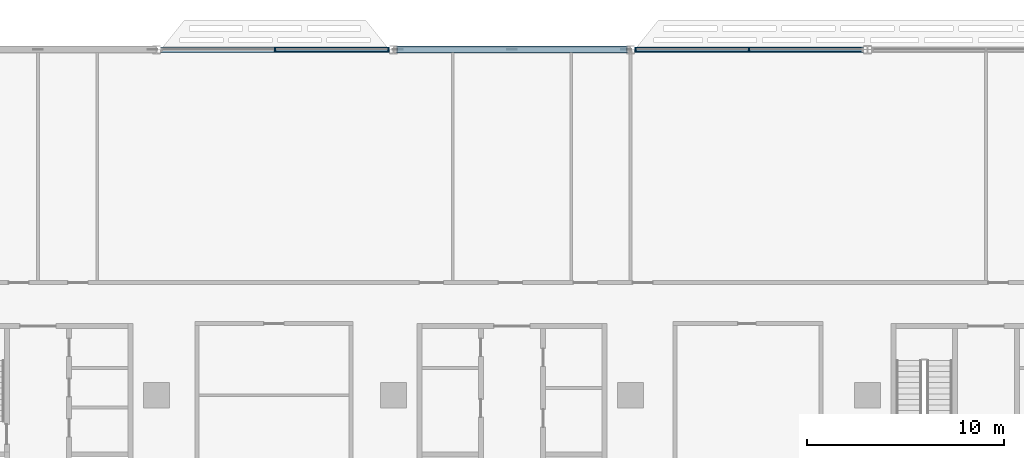
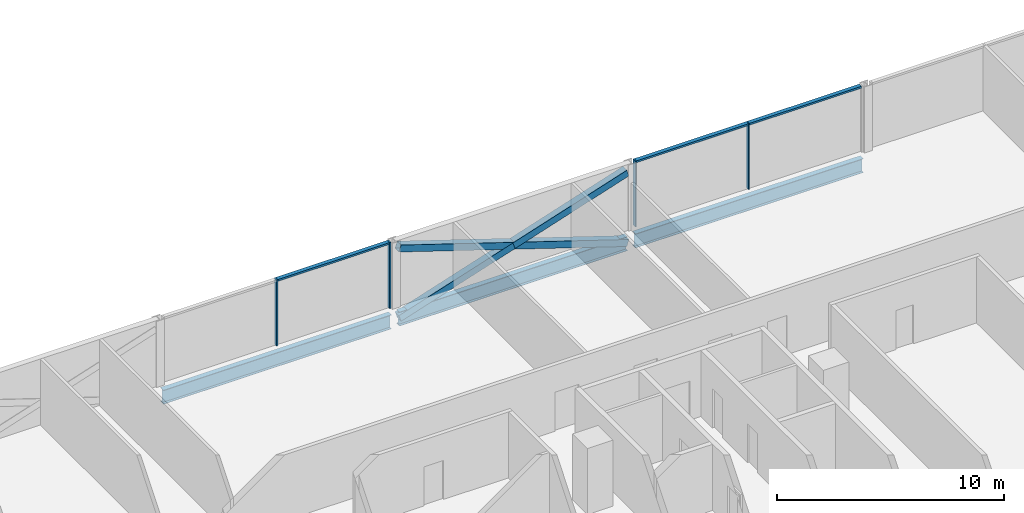
# One storey, part 7 of 29: 10 members, 3 beams, 2 elements without a shape of their own.
"""IFC4 building model written with IfcOpenShell, lengths in metres."""

from ifc_helpers import new_model, si_unit, direction, frame, origin, origin_2d, place, context, subcontext, project, spatial, rectangle, hollow_rectangle, i_section, extrude, material, material_profile, profile_set, type_object, element, aggregate, save


model = new_model("IFC4")

# Units and contexts
model_context = context("Model", 3, precision=1e-05, world=origin(), true_north=direction((0.0, 1.0)))
body_context = subcontext(model_context, "Body", "Model", "MODEL_VIEW")
ifc_project = project(units=[si_unit("LENGTHUNIT", "METRE"), si_unit("AREAUNIT", "SQUARE_METRE"), si_unit("VOLUMEUNIT", "CUBIC_METRE"), si_unit("PLANEANGLEUNIT", "RADIAN"), si_unit("MASSUNIT", "GRAM", prefix="KILO")], contexts=[model_context])

# Site, building, storey
site_placement = place(None, origin())
site = spatial("IfcSite", under=ifc_project, at=site_placement, CompositionType="ELEMENT")
building_placement = place(site_placement, origin())
building = spatial("IfcBuilding", under=site, at=building_placement, Name="Mahtab Terrace Research Tower", CompositionType="ELEMENT")
storey_placement = place(building_placement, frame((0.0, 0.0, 150.699951171875)))
storey = spatial("IfcBuildingStorey", under=building, at=storey_placement, Name="L35", CompositionType="ELEMENT", Elevation=150.699951171875)

# Members
ifc_material_1 = material(Name="Steel ASTM A500 Gr C", Category="steel")
ifc_material_profile_1 = material_profile(ifc_material_1, hollow_rectangle(XDim=0.355712890625, YDim=0.355712890625, WallThickness=0.01904296875, at=origin_2d()), Name="HSS14X14X3/4")
ifc_profile_set_1 = profile_set([ifc_material_profile_1], Name="Steel ASTM A500 Gr C")
member_type_1 = type_object("IfcMemberType", Name="HSS 14x14x3/4 brace XB141434", PredefinedType="BRACE", material=ifc_profile_set_1)
member_1_placement = place(storey_placement, frame((5.794189453125, 29.0, -0.651611328125), z_axis=(-0.951266203011, 0.0, 0.308370898448), x_axis=(0.0, -1.0, 0.0)))
element("IfcMember", 1, at=member_1_placement, inside=storey, type_object=member_type_1, Name="Exoskeleton brace L35 04 a", PredefinedType="BRACE", context=body_context, shape_type="SweptSolid", body=[
    extrude(hollow_rectangle(XDim=0.355712890625, YDim=0.355712890625, WallThickness=0.01904296875, at=origin_2d()), origin(), (0.0, 0.0, 1.0), 12.18212890625),
])
for number, where, z_axis, x_axis, name in (
    (2, (-5.794189453125, 29.0, -0.651611328125), (0.951272081758, 0.0, 0.308352763029), (0.0, 1.0, 0.0), "Exoskeleton brace L35 04 b1"),
    (3, (0.0, 29.0, 1.2265625), (0.95126032399, 0.0, 0.308389033531), (0.0, 1.0, 0.0), "Exoskeleton brace L35 04 b2"),
):
    element("IfcMember", number, at=place(storey_placement, frame(where, z_axis=z_axis, x_axis=x_axis)), inside=storey, type_object=member_type_1, Name=name, PredefinedType="BRACE", context=body_context, shape_type="SweptSolid", body=[
        extrude(hollow_rectangle(XDim=0.355712890625, YDim=0.355712890625, WallThickness=0.01904296875, at=origin_2d()), origin(), (0.0, 0.0, 1.0), 6.091064453125),
    ])

# Curtain wall, members
ifc_material_2 = material(Name="Laboratory ribbon curtain wall")
curtain_wall_type = type_object("IfcCurtainWallType", Name="Laboratory ribbon curtain wall", PredefinedType="NOTDEFINED", material=ifc_material_2)
curtain_wall_1_placement = place(storey_placement, origin())
curtain_wall_1 = element("IfcCurtainWall", 4, at=curtain_wall_1_placement, inside=storey, type_object=curtain_wall_type, Name="EN.L35.3.5", PredefinedType="NOTDEFINED")
ifc_material_3 = material(Name="Natural anodised aluminium", Category="aluminium")
ifc_material_profile_2 = material_profile(ifc_material_3, rectangle(XDim=0.199951171875, YDim=0.06494140625, at=origin_2d()), Name="MULLION 65x200")
ifc_profile_set_2 = profile_set([ifc_material_profile_2], Name="Natural anodised aluminium")
member_type_2 = type_object("IfcMemberType", Name="Laboratory ribbon curtain wall mullion", PredefinedType="MULLION", material=ifc_profile_set_2)
member_2_placement = place(storey_placement, frame((12.0, 29.0, 0.0), z_axis=(0.0, 0.0, 1.0), x_axis=(0.0, -1.0, 0.0)))
member_2 = element("IfcMember", 5, at=member_2_placement, type_object=member_type_2, Name="CWL-4 mullion 2", PredefinedType="MULLION", context=body_context, shape_type="SweptSolid", body=[
    extrude(rectangle(XDim=0.199951171875, YDim=0.06494140625, at=origin_2d()), origin(), (0.0, 0.0, 1.0), 3.550048828125),
])
member_3_placement = place(storey_placement, frame((6.25048828125, 29.0, 0.0), z_axis=(0.0, 0.0, 1.0), x_axis=(0.0, -1.0, 0.0)))
member_3 = element("IfcMember", 6, at=member_3_placement, type_object=member_type_2, Name="CWL-4 mullion 3", PredefinedType="MULLION", context=body_context, shape_type="SweptSolid", body=[
    extrude(rectangle(XDim=0.199951171875, YDim=0.06494140625, at=origin_2d()), origin(), (0.0, 0.0, 1.0), 3.550048828125),
])

curtain_wall_2_placement = place(storey_placement, origin())
curtain_wall_2 = element("IfcCurtainWall", 7, at=curtain_wall_2_placement, inside=storey, type_object=curtain_wall_type, Name="EN.L35.3.7", PredefinedType="NOTDEFINED")
member_4_placement = place(storey_placement, frame((-6.25048828125, 29.0, 0.0), z_axis=(0.0, 0.0, 1.0), x_axis=(0.0, -1.0, 0.0)))
member_4 = element("IfcMember", 8, at=member_4_placement, type_object=member_type_2, Name="CWL-4 mullion 1", PredefinedType="MULLION", context=body_context, shape_type="SweptSolid", body=[
    extrude(rectangle(XDim=0.199951171875, YDim=0.06494140625, at=origin_2d()), origin(), (0.0, 0.0, 1.0), 3.550048828125),
])
member_5_placement = place(storey_placement, frame((-12.0, 29.0, 0.0), z_axis=(0.0, 0.0, 1.0), x_axis=(0.0, -1.0, 0.0)))
member_5 = element("IfcMember", 9, at=member_5_placement, type_object=member_type_2, Name="CWL-4 mullion 2", PredefinedType="MULLION", context=body_context, shape_type="SweptSolid", body=[
    extrude(rectangle(XDim=0.199951171875, YDim=0.06494140625, at=origin_2d()), origin(), (0.0, 0.0, 1.0), 3.550048828125),
])

# Member
ifc_material_profile_3 = material_profile(ifc_material_3, rectangle(XDim=0.199951171875, YDim=0.10009765625, at=origin_2d()), Name="TRANSOM 100x200")
ifc_profile_set_3 = profile_set([ifc_material_profile_3], Name="Natural anodised aluminium")
member_type_3 = type_object("IfcMemberType", Name="Laboratory ribbon curtain wall transom", PredefinedType="USERDEFINED", material=ifc_profile_set_3)
member_6_placement = place(storey_placement, frame((17.717041015625, 29.0, 3.5), z_axis=(-1.0, 0.0, 0.0), x_axis=(0.0, -1.0, 0.0)))
member_6 = element("IfcMember", 10, at=member_6_placement, type_object=member_type_3, Name="CWL-4 transom 1", ObjectType="TRANSOM", PredefinedType="USERDEFINED", context=body_context, shape_type="SweptSolid", body=[
    extrude(rectangle(XDim=0.199951171875, YDim=0.10009765625, at=origin_2d()), origin(), (0.0, 0.0, 1.0), 5.6845703125),
])

member_7_placement = place(storey_placement, frame((11.967529296875, 29.0, 3.5), z_axis=(-1.0, 0.0, 0.0), x_axis=(0.0, -1.0, 0.0)))
member_7 = element("IfcMember", 11, at=member_7_placement, type_object=member_type_3, Name="CWL-4 transom 2", ObjectType="TRANSOM", PredefinedType="USERDEFINED", context=body_context, shape_type="SweptSolid", body=[
    extrude(rectangle(XDim=0.199951171875, YDim=0.10009765625, at=origin_2d()), origin(), (0.0, 0.0, 1.0), 5.6845703125),
])

aggregate(curtain_wall_1, [member_2, member_3, member_6, member_7])

member_8_placement = place(storey_placement, frame((-6.282958984375, 29.0, 3.5), z_axis=(-1.0, 0.0, 0.0), x_axis=(0.0, -1.0, 0.0)))
member_8 = element("IfcMember", 12, at=member_8_placement, type_object=member_type_3, Name="CWL-4 transom 1", ObjectType="TRANSOM", PredefinedType="USERDEFINED", context=body_context, shape_type="SweptSolid", body=[
    extrude(rectangle(XDim=0.199951171875, YDim=0.10009765625, at=origin_2d()), origin(), (0.0, 0.0, 1.0), 5.6845703125),
])

aggregate(curtain_wall_2, [member_4, member_5, member_8])

# Beams
ifc_material_4 = material(Name="Steel ASTM A992 Gr 50", Category="steel")
ifc_material_profile_4 = material_profile(ifc_material_4, i_section(OverallWidth=0.2666015625, OverallDepth=0.7568359375, WebThickness=0.013916015625, FlangeThickness=0.019287109375, at=origin_2d()), Name="W30X108")
ifc_profile_set_4 = profile_set([ifc_material_profile_4], Name="Steel ASTM A992 Gr 50")
beam_type = type_object("IfcBeamType", Name="W30x108 beam BS30108", PredefinedType="BEAM", material=ifc_profile_set_4)
for number, where, z_axis, x_axis, name in (
    (13, (17.794189453125, 29.0, -0.718505859375), (-1.0, 0.0, 0.0), (0.0, -1.0, 0.0), "Spandrel beam L35 03"),
    (14, (5.794189453125, 29.0, -0.718505859375), (-1.0, 0.0, 0.0), (0.0, -1.0, 0.0), "Spandrel beam L35 04"),
    (15, (-6.205810546875, 29.0, -0.718505859375), (-1.0, 0.0, 0.0), (0.0, -1.0, 0.0), "Spandrel beam L35 05"),
):
    element("IfcBeam", number, at=place(storey_placement, frame(where, z_axis=z_axis, x_axis=x_axis)), inside=storey, type_object=beam_type, Name=name, PredefinedType="BEAM", context=body_context, shape_type="SweptSolid", body=[
        extrude(i_section(OverallWidth=0.2666015625, OverallDepth=0.7568359375, WebThickness=0.013916015625, FlangeThickness=0.019287109375, at=origin_2d()), origin(), (0.0, 0.0, 1.0), 11.58837890625),
    ])

save(model, "model.ifc")
